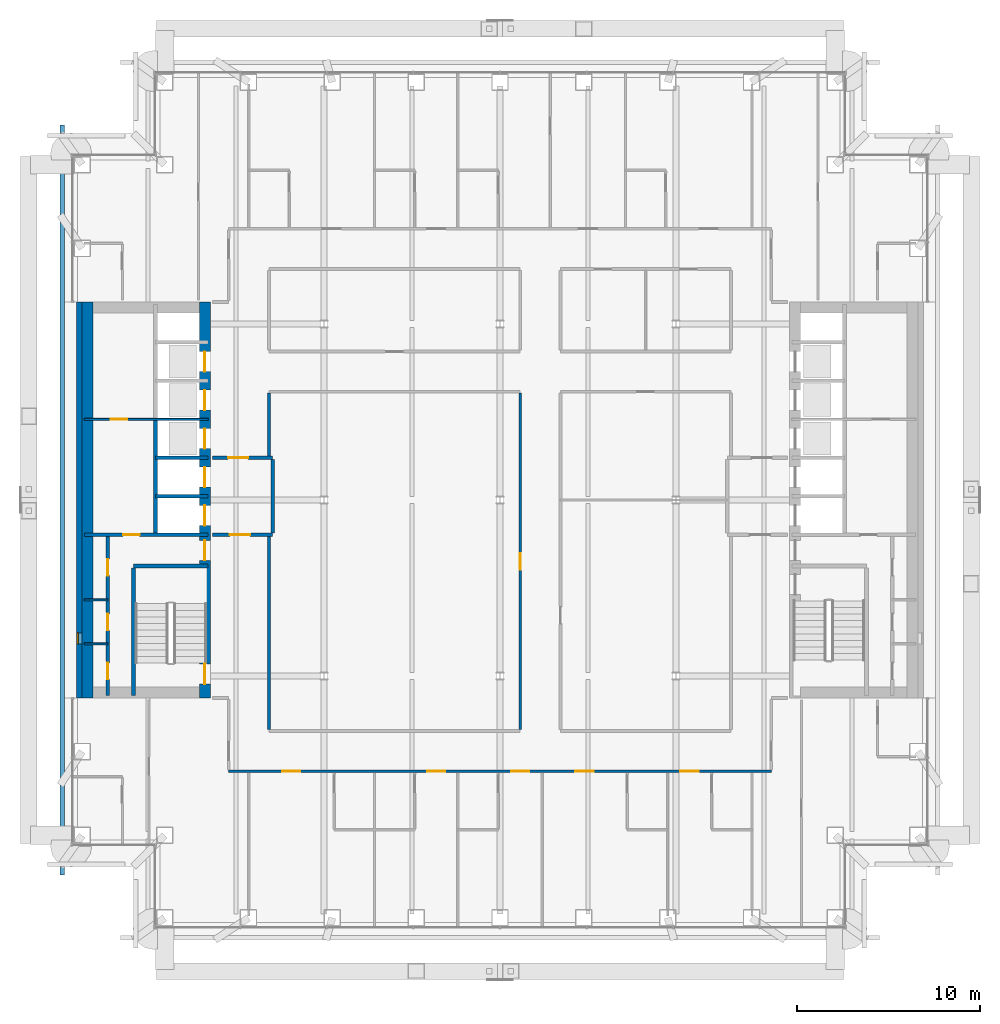
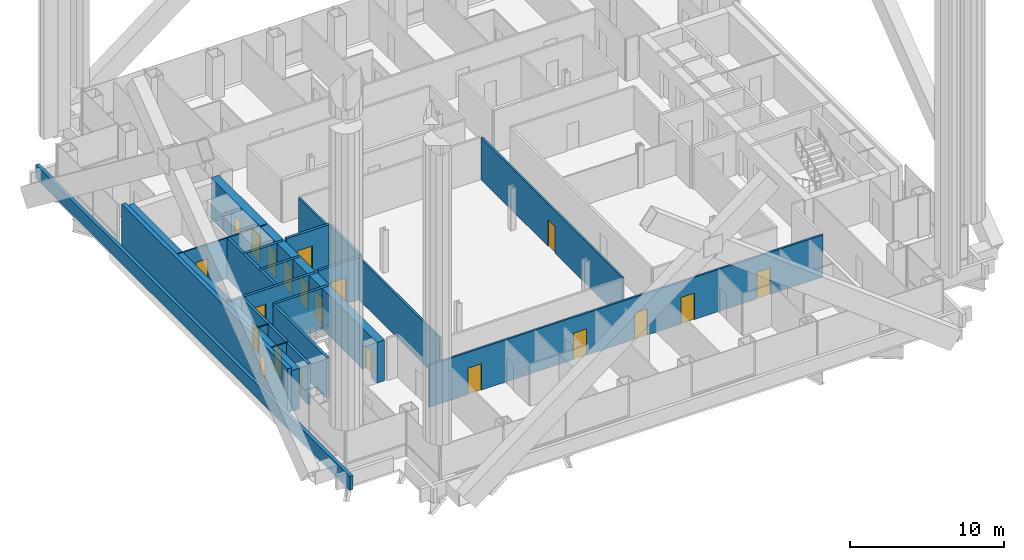
# One storey, part 13 of 22: 21 walls, 20 doors, 1 window, 21 openings.
"""IFC4 building model written with IfcOpenShell, lengths in metres."""

from ifc_helpers import new_model, si_unit, direction, frame, frame_2d, origin, place, context, subcontext, project, spatial, rectangle, extrude, material, layer, layer_set, type_object, element, fill, save


model = new_model("IFC4")

# Units and contexts
model_context = context("Model", 3, precision=1e-05, world=origin(), true_north=direction((0.0, 1.0)))
body_context = subcontext(model_context, "Body", "Model", "MODEL_VIEW")
ifc_project = project(units=[si_unit("LENGTHUNIT", "METRE"), si_unit("AREAUNIT", "SQUARE_METRE"), si_unit("VOLUMEUNIT", "CUBIC_METRE"), si_unit("PLANEANGLEUNIT", "RADIAN"), si_unit("MASSUNIT", "GRAM", prefix="KILO")], contexts=[model_context])

# Site, building, storey
site_placement = place(None, origin())
site = spatial("IfcSite", under=ifc_project, at=site_placement, CompositionType="ELEMENT")
building_placement = place(site_placement, origin())
building = spatial("IfcBuilding", under=site, at=building_placement, Name="Cobrizo Arcos Hotel Tower", CompositionType="ELEMENT")
storey_placement = place(building_placement, frame((0.0, 0.0, 89.0)))
storey = spatial("IfcBuildingStorey", under=building, at=storey_placement, Name="L21", CompositionType="ELEMENT", Elevation=89.0)

# Wall, openings, doors
ifc_material_1 = material(Name="Gypsum board partition")
ifc_layer_1 = layer(ifc_material_1, 0.14990234375)
ifc_layer_set_1 = layer_set([ifc_layer_1], Name="Corridor wall EI 60 150")
wall_type_1 = type_object("IfcWallType", Name="Corridor wall EI 60 150", PredefinedType="PARTITIONING", material=ifc_layer_set_1)
wall_1_placement = place(storey_placement, frame((-14.800048828125, -14.800048828125, 0.0), z_axis=(0.0, 0.0, 1.0), x_axis=(1.0, 0.0, 0.0)))
wall_1 = element("IfcWall", 1, at=wall_1_placement, inside=storey, type_object=wall_type_1, Name="Partition 006", PredefinedType="PARTITIONING", context=body_context, shape_type="SweptSolid", body=[
    extrude(rectangle(XDim=29.60009765625, YDim=0.14990234375, at=frame_2d((14.800048828125, 0.0))), origin(), (0.0, 0.0, 1.0), 3.35009765625),
])
opening_1_placement = place(wall_1_placement, frame((2.906982421875, 0.0, 0.0)))
opening_1 = element("IfcOpeningElement", 2, at=opening_1_placement, cuts=wall_1, Name="Opening GD-05", PredefinedType="OPENING", context=body_context, shape_type="SweptSolid", body=[
    extrude(rectangle(XDim=1.0, YDim=2.10009765625, at=frame_2d((0.5, 1.050048828125))), frame((0.0, 0.0869140625, 0.0), z_axis=(0.0, -1.0, 0.0), x_axis=(1.0, 0.0, 0.0)), (0.0, 0.0, 1.0), 0.173828125),
])
opening_2_placement = place(wall_1_placement, frame((10.825927734375, 0.0, 0.0)))
opening_2 = element("IfcOpeningElement", 3, at=opening_2_placement, cuts=wall_1, Name="Opening GD-06", PredefinedType="OPENING", context=body_context, shape_type="SweptSolid", body=[
    extrude(rectangle(XDim=1.0, YDim=2.10009765625, at=frame_2d((0.5, 1.050048828125))), frame((0.0, 0.0869140625, 0.0), z_axis=(0.0, -1.0, 0.0), x_axis=(1.0, 0.0, 0.0)), (0.0, 0.0, 1.0), 0.173828125),
])
opening_3_placement = place(wall_1_placement, frame((15.40087890625, 0.0, 0.0)))
opening_3 = element("IfcOpeningElement", 4, at=opening_3_placement, cuts=wall_1, Name="Opening GD-07", PredefinedType="OPENING", context=body_context, shape_type="SweptSolid", body=[
    extrude(rectangle(XDim=1.0, YDim=2.10009765625, at=frame_2d((0.5, 1.050048828125))), frame((0.0, 0.0869140625, 0.0), z_axis=(0.0, -1.0, 0.0), x_axis=(1.0, 0.0, 0.0)), (0.0, 0.0, 1.0), 0.173828125),
])
opening_4_placement = place(wall_1_placement, frame((18.9189453125, 0.0, 0.0)))
opening_4 = element("IfcOpeningElement", 5, at=opening_4_placement, cuts=wall_1, Name="Opening GD-08", PredefinedType="OPENING", context=body_context, shape_type="SweptSolid", body=[
    extrude(rectangle(XDim=1.0, YDim=2.10009765625, at=frame_2d((0.5, 1.050048828125))), frame((0.0, 0.0869140625, 0.0), z_axis=(0.0, -1.0, 0.0), x_axis=(1.0, 0.0, 0.0)), (0.0, 0.0, 1.0), 0.173828125),
])
opening_5_placement = place(wall_1_placement, frame((24.637939453125, 0.0, 0.0)))
opening_5 = element("IfcOpeningElement", 6, at=opening_5_placement, cuts=wall_1, Name="Opening GD-09", PredefinedType="OPENING", context=body_context, shape_type="SweptSolid", body=[
    extrude(rectangle(XDim=1.0, YDim=2.10009765625, at=frame_2d((0.5, 1.050048828125))), frame((0.0, 0.0869140625, 0.0), z_axis=(0.0, -1.0, 0.0), x_axis=(1.0, 0.0, 0.0)), (0.0, 0.0, 1.0), 0.173828125),
])
ifc_material_2 = material(Name="Timber door leaf", Category="wood")
door_type_1 = type_object("IfcDoorType", Name="Guest room door FD30S 1000x2100", OperationType="SINGLE_SWING_LEFT", PredefinedType="DOOR", material=ifc_material_2)
door_1_placement = place(opening_1_placement, origin())
door_1 = element("IfcDoor", 7, at=door_1_placement, inside=storey, type_object=door_type_1, Name="Door GD-05", OperationType="SINGLE_SWING_LEFT", OverallHeight=2.10009765625, OverallWidth=1.0, PredefinedType="DOOR", context=body_context, shape_type="SweptSolid", body=[
    extrude(rectangle(XDim=1.0, YDim=2.10009765625, at=frame_2d((0.5, 1.050048828125))), frame((0.0, 0.02490234375, 0.0), z_axis=(0.0, -1.0, 0.0), x_axis=(1.0, 0.0, 0.0)), (0.0, 0.0, 1.0), 0.050048828125),
])
fill(opening_1, door_1)
door_2_placement = place(opening_2_placement, origin())
door_2 = element("IfcDoor", 8, at=door_2_placement, inside=storey, type_object=door_type_1, Name="Door GD-06", OperationType="SINGLE_SWING_LEFT", OverallHeight=2.10009765625, OverallWidth=1.0, PredefinedType="DOOR", context=body_context, shape_type="SweptSolid", body=[
    extrude(rectangle(XDim=1.0, YDim=2.10009765625, at=frame_2d((0.5, 1.050048828125))), frame((0.0, 0.02490234375, 0.0), z_axis=(0.0, -1.0, 0.0), x_axis=(1.0, 0.0, 0.0)), (0.0, 0.0, 1.0), 0.050048828125),
])
fill(opening_2, door_2)
door_3_placement = place(opening_3_placement, origin())
door_3 = element("IfcDoor", 9, at=door_3_placement, inside=storey, type_object=door_type_1, Name="Door GD-07", OperationType="SINGLE_SWING_LEFT", OverallHeight=2.10009765625, OverallWidth=1.0, PredefinedType="DOOR", context=body_context, shape_type="SweptSolid", body=[
    extrude(rectangle(XDim=1.0, YDim=2.10009765625, at=frame_2d((0.5, 1.050048828125))), frame((0.0, 0.02490234375, 0.0), z_axis=(0.0, -1.0, 0.0), x_axis=(1.0, 0.0, 0.0)), (0.0, 0.0, 1.0), 0.050048828125),
])
fill(opening_3, door_3)
door_4_placement = place(opening_4_placement, origin())
door_4 = element("IfcDoor", 10, at=door_4_placement, inside=storey, type_object=door_type_1, Name="Door GD-08", OperationType="SINGLE_SWING_LEFT", OverallHeight=2.10009765625, OverallWidth=1.0, PredefinedType="DOOR", context=body_context, shape_type="SweptSolid", body=[
    extrude(rectangle(XDim=1.0, YDim=2.10009765625, at=frame_2d((0.5, 1.050048828125))), frame((0.0, 0.02490234375, 0.0), z_axis=(0.0, -1.0, 0.0), x_axis=(1.0, 0.0, 0.0)), (0.0, 0.0, 1.0), 0.050048828125),
])
fill(opening_4, door_4)
door_5_placement = place(opening_5_placement, origin())
door_5 = element("IfcDoor", 11, at=door_5_placement, inside=storey, type_object=door_type_1, Name="Door GD-09", OperationType="SINGLE_SWING_LEFT", OverallHeight=2.10009765625, OverallWidth=1.0, PredefinedType="DOOR", context=body_context, shape_type="SweptSolid", body=[
    extrude(rectangle(XDim=1.0, YDim=2.10009765625, at=frame_2d((0.5, 1.050048828125))), frame((0.0, 0.02490234375, 0.0), z_axis=(0.0, -1.0, 0.0), x_axis=(1.0, 0.0, 0.0)), (0.0, 0.0, 1.0), 0.050048828125),
])
fill(opening_5, door_5)

# Walls
wall_2_placement = place(storey_placement, frame((-12.60009765625, -12.52490234375, 0.0), z_axis=(0.0, 0.0, 1.0), x_axis=(0.0, 1.0, 0.0)))
element("IfcWall", 12, at=wall_2_placement, inside=storey, type_object=wall_type_1, Name="Partition 064", PredefinedType="PARTITIONING", context=body_context, shape_type="SweptSolid", body=[
    extrude(rectangle(XDim=10.52490234375, YDim=0.14990234375, at=frame_2d((5.262451171875, 0.0))), origin(), (0.0, 0.0, 1.0), 3.35009765625),
])
wall_3_placement = place(storey_placement, frame((-12.60009765625, 2.39990234375, 0.0), z_axis=(0.0, 0.0, 1.0), x_axis=(0.0, 1.0, 0.0)))
element("IfcWall", 13, at=wall_3_placement, inside=storey, type_object=wall_type_1, Name="Partition 065", PredefinedType="PARTITIONING", context=body_context, shape_type="SweptSolid", body=[
    extrude(rectangle(XDim=3.425048828125, YDim=0.14990234375, at=frame_2d((1.71240234375, 0.0))), origin(), (0.0, 0.0, 1.0), 3.35009765625),
])

# Wall, opening, door
wall_4_placement = place(storey_placement, frame((1.10009765625, -12.52490234375, 0.0), z_axis=(0.0, 0.0, 1.0), x_axis=(0.0, 1.0, 0.0)))
wall_4 = element("IfcWall", 14, at=wall_4_placement, inside=storey, type_object=wall_type_1, Name="Partition 079", PredefinedType="PARTITIONING", context=body_context, shape_type="SweptSolid", body=[
    extrude(rectangle(XDim=18.349853515625, YDim=0.14990234375, at=frame_2d((9.1748046875, 0.0))), origin(), (0.0, 0.0, 1.0), 3.35009765625),
])
opening_6_placement = place(wall_4_placement, frame((8.72509765625, 0.0, 0.0)))
opening_6 = element("IfcOpeningElement", 15, at=opening_6_placement, cuts=wall_4, Name="Opening RD-19", PredefinedType="OPENING", context=body_context, shape_type="SweptSolid", body=[
    extrude(rectangle(XDim=0.89990234375, YDim=2.10009765625, at=frame_2d((0.449951171875, 1.050048828125))), frame((0.0, 0.0869140625, 0.0), z_axis=(0.0, -1.0, 0.0), x_axis=(1.0, 0.0, 0.0)), (0.0, 0.0, 1.0), 0.173828125),
])
door_type_2 = type_object("IfcDoorType", Name="Room door FD30 900x2100", OperationType="SINGLE_SWING_LEFT", PredefinedType="DOOR", material=ifc_material_2)
door_6_placement = place(opening_6_placement, origin())
door_6 = element("IfcDoor", 16, at=door_6_placement, inside=storey, type_object=door_type_2, Name="Door RD-19", OperationType="SINGLE_SWING_RIGHT", OverallHeight=2.10009765625, OverallWidth=0.89990234375, PredefinedType="DOOR", context=body_context, shape_type="SweptSolid", body=[
    extrude(rectangle(XDim=0.89990234375, YDim=2.10009765625, at=frame_2d((0.449951171875, 1.050048828125))), frame((0.0, 0.02490234375, 0.0), z_axis=(0.0, -1.0, 0.0), x_axis=(1.0, 0.0, 0.0)), (0.0, 0.0, 1.0), 0.050048828125),
])
fill(opening_6, door_6)

# Wall, opening, window
ifc_material_3 = material(Name="Aluminium composite panel pale metal", Category="aluminium")
ifc_layer_2 = layer(ifc_material_3, 0.300048828125)
ifc_layer_set_2 = layer_set([ifc_layer_2], Name="EW-1 insulated panel wall 300")
wall_type_2 = type_object("IfcWallType", Name="EW-1 insulated panel wall 300", PredefinedType="SOLIDWALL", material=ifc_layer_set_2)
wall_5_placement = place(storey_placement, frame((-22.949951171875, 10.800048828125, 0.0), z_axis=(0.0, 0.0, 1.0), x_axis=(0.0, -1.0, 0.0)))
wall_5 = element("IfcWall", 17, at=wall_5_placement, inside=storey, type_object=wall_type_2, Name="Core face wall L21 W", PredefinedType="SOLIDWALL", context=body_context, shape_type="SweptSolid", body=[
    extrude(rectangle(XDim=21.60009765625, YDim=0.300048828125, at=frame_2d((10.800048828125, 0.0))), origin(), (0.0, 0.0, 1.0), 3.5),
])
opening_7_placement = place(wall_5_placement, frame((18.050048828125, 0.0, 1.0)))
opening_7 = element("IfcOpeningElement", 18, at=opening_7_placement, cuts=wall_5, Name="Opening W-44", PredefinedType="OPENING", context=body_context, shape_type="SweptSolid", body=[
    extrude(rectangle(XDim=0.60009765625, YDim=1.5, at=frame_2d((0.300048828125, 0.75))), frame((0.0, 0.162109375, 0.0), z_axis=(0.0, -1.0, 0.0), x_axis=(1.0, 0.0, 0.0)), (0.0, 0.0, 1.0), 0.323974609375),
])
ifc_material_4 = material(Name="Aluminium 6063-T6 and clear laminated glass", Category="aluminium")
window_type = type_object("IfcWindowType", Name="W-C1 core stair slot window 600x1500", PartitioningType="SINGLE_PANEL", PredefinedType="WINDOW", material=ifc_material_4)
window_placement = place(opening_7_placement, origin())
window = element("IfcWindow", 19, at=window_placement, inside=storey, type_object=window_type, Name="Core face wall L21 W window W-44", OverallHeight=1.5, OverallWidth=0.60009765625, PartitioningType="SINGLE_PANEL", PredefinedType="WINDOW", context=body_context, shape_type="SweptSolid", body=[
    extrude(rectangle(XDim=0.60009765625, YDim=1.5, at=frame_2d((0.300048828125, 0.75))), frame((0.0, -0.06005859375, 0.0), z_axis=(0.0, -1.0, 0.0), x_axis=(1.0, 0.0, 0.0)), (0.0, 0.0, 1.0), 0.06005859375),
])
fill(opening_7, window)

# Walls
ifc_layer_3 = layer(ifc_material_3, 0.25)
ifc_layer_set_3 = layer_set([ifc_layer_3], Name="PW-1 parapet wall")
wall_type_3 = type_object("IfcWallType", Name="PW-1 parapet wall", PredefinedType="PARAPET", material=ifc_layer_set_3)
wall_6_placement = place(storey_placement, frame((-23.875, 20.449951171875, 0.0), z_axis=(0.0, 0.0, 1.0), x_axis=(0.0, -1.0, 0.0)))
element("IfcWall", 20, at=wall_6_placement, inside=storey, type_object=wall_type_3, Name="Parapet L20 W", PredefinedType="PARAPET", context=body_context, shape_type="SweptSolid", body=[
    extrude(rectangle(XDim=40.89990234375, YDim=0.25, at=frame_2d((20.449951171875, 0.0))), origin(), (0.0, 0.0, 1.0), 1.10009765625),
])
ifc_layer_4 = layer(ifc_material_1, 0.10009765625)
ifc_layer_set_4 = layer_set([ifc_layer_4], Name="Partition EI 30 100")
wall_type_4 = type_object("IfcWallType", Name="Partition EI 30 100", PredefinedType="PARTITIONING", material=ifc_layer_set_4)
for number, where, z_axis, x_axis, name in (
    (21, (-22.679931640625, -7.85009765625, 0.0), (0.0, 0.0, 1.0), (1.0, 0.0, 0.0), "Partition 012"),
    (22, (-22.679931640625, -5.449951171875, 0.0), (0.0, 0.0, 1.0), (1.0, 0.0, 0.0), "Partition 014"),
):
    element("IfcWall", number, at=place(storey_placement, frame(where, z_axis=z_axis, x_axis=x_axis)), inside=storey, type_object=wall_type_4, Name=name, PredefinedType="PARTITIONING", context=body_context, shape_type="SweptSolid", body=[
        extrude(rectangle(XDim=1.280029296875, YDim=0.10009765625, at=frame_2d((0.64013671875, 0.0))), origin(), (0.0, 0.0, 1.0), 3.25),
    ])

# Wall, opening, door
wall_7_placement = place(storey_placement, frame((-22.679931640625, 4.39990234375, 0.0), z_axis=(0.0, 0.0, 1.0), x_axis=(1.0, 0.0, 0.0)))
wall_7 = element("IfcWall", 23, at=wall_7_placement, inside=storey, type_object=wall_type_4, Name="Partition 031", PredefinedType="PARTITIONING", context=body_context, shape_type="SweptSolid", body=[
    extrude(rectangle(XDim=6.760009765625, YDim=0.10009765625, at=frame_2d((3.3798828125, 0.0))), origin(), (0.0, 0.0, 1.0), 3.25),
])
opening_8_placement = place(wall_7_placement, frame((1.429931640625, 0.0, 0.0)))
opening_8 = element("IfcOpeningElement", 24, at=opening_8_placement, cuts=wall_7, Name="Opening RD-05", PredefinedType="OPENING", context=body_context, shape_type="SweptSolid", body=[
    extrude(rectangle(XDim=0.89990234375, YDim=2.10009765625, at=frame_2d((0.449951171875, 1.050048828125))), frame((0.0, 0.06201171875, 0.0), z_axis=(0.0, -1.0, 0.0), x_axis=(1.0, 0.0, 0.0)), (0.0, 0.0, 1.0), 0.1240234375),
])
door_7_placement = place(opening_8_placement, origin())
door_7 = element("IfcDoor", 25, at=door_7_placement, inside=storey, type_object=door_type_2, Name="Door RD-05", OperationType="SINGLE_SWING_RIGHT", OverallHeight=2.10009765625, OverallWidth=0.89990234375, PredefinedType="DOOR", context=body_context, shape_type="SweptSolid", body=[
    extrude(rectangle(XDim=0.89990234375, YDim=2.10009765625, at=frame_2d((0.449951171875, 1.050048828125))), frame((0.0, 0.02490234375, 0.0), z_axis=(0.0, -1.0, 0.0), x_axis=(1.0, 0.0, 0.0)), (0.0, 0.0, 1.0), 0.050048828125),
])
fill(opening_8, door_7)

# Wall, openings, doors
ifc_material_5 = material(Name="Concrete f'c 50 MPa", Category="concrete")
ifc_layer_5 = layer(ifc_material_5, 0.60009765625)
ifc_layer_set_5 = layer_set([ifc_layer_5], Name="RC core wall 600 f'c 50")
wall_type_5 = type_object("IfcWallType", Name="RC core wall 600 f'c 50", PredefinedType="SHEAR", material=ifc_layer_set_5)
wall_8_placement = place(storey_placement, frame((-16.10009765625, -10.800048828125, 0.0), z_axis=(0.0, 0.0, 1.0), x_axis=(0.0, 1.0, 0.0)))
wall_8 = element("IfcWall", 26, at=wall_8_placement, inside=storey, type_object=wall_type_5, Name="Core wall CW2, west core, inner face, L21", PredefinedType="SHEAR", context=body_context, shape_type="SweptSolid", body=[
    extrude(rectangle(XDim=21.60009765625, YDim=0.60009765625, at=frame_2d((10.800048828125, 0.0))), origin(), (0.0, 0.0, 1.0), 3.25),
])
opening_9_placement = place(wall_8_placement, frame((9.39990234375, 0.0, 0.0)))
opening_9 = element("IfcOpeningElement", 27, at=opening_9_placement, cuts=wall_8, Name="Opening LD-01", PredefinedType="OPENING", context=body_context, shape_type="SweptSolid", body=[
    extrude(rectangle(XDim=1.10009765625, YDim=2.10009765625, at=frame_2d((0.550048828125, 1.050048828125))), frame((0.0, 0.31201171875, 0.0), z_axis=(0.0, -1.0, 0.0), x_axis=(1.0, 0.0, 0.0)), (0.0, 0.0, 1.0), 0.6240234375),
])
opening_10_placement = place(wall_8_placement, frame((11.5, 0.0, 0.0)))
opening_10 = element("IfcOpeningElement", 28, at=opening_10_placement, cuts=wall_8, Name="Opening LD-02", PredefinedType="OPENING", context=body_context, shape_type="SweptSolid", body=[
    extrude(rectangle(XDim=1.10009765625, YDim=2.10009765625, at=frame_2d((0.550048828125, 1.050048828125))), frame((0.0, 0.31201171875, 0.0), z_axis=(0.0, -1.0, 0.0), x_axis=(1.0, 0.0, 0.0)), (0.0, 0.0, 1.0), 0.6240234375),
])
opening_11_placement = place(wall_8_placement, frame((13.60009765625, 0.0, 0.0)))
opening_11 = element("IfcOpeningElement", 29, at=opening_11_placement, cuts=wall_8, Name="Opening LD-03", PredefinedType="OPENING", context=body_context, shape_type="SweptSolid", body=[
    extrude(rectangle(XDim=1.10009765625, YDim=2.10009765625, at=frame_2d((0.550048828125, 1.050048828125))), frame((0.0, 0.31201171875, 0.0), z_axis=(0.0, -1.0, 0.0), x_axis=(1.0, 0.0, 0.0)), (0.0, 0.0, 1.0), 0.6240234375),
])
opening_12_placement = place(wall_8_placement, frame((15.699951171875, 0.0, 0.0)))
opening_12 = element("IfcOpeningElement", 30, at=opening_12_placement, cuts=wall_8, Name="Opening LD-04", PredefinedType="OPENING", context=body_context, shape_type="SweptSolid", body=[
    extrude(rectangle(XDim=1.10009765625, YDim=2.10009765625, at=frame_2d((0.550048828125, 1.050048828125))), frame((0.0, 0.31201171875, 0.0), z_axis=(0.0, -1.0, 0.0), x_axis=(1.0, 0.0, 0.0)), (0.0, 0.0, 1.0), 0.6240234375),
])
opening_13_placement = place(wall_8_placement, frame((17.800048828125, 0.0, 0.0)))
opening_13 = element("IfcOpeningElement", 31, at=opening_13_placement, cuts=wall_8, Name="Opening LD-05", PredefinedType="OPENING", context=body_context, shape_type="SweptSolid", body=[
    extrude(rectangle(XDim=1.10009765625, YDim=2.10009765625, at=frame_2d((0.550048828125, 1.050048828125))), frame((0.0, 0.31201171875, 0.0), z_axis=(0.0, -1.0, 0.0), x_axis=(1.0, 0.0, 0.0)), (0.0, 0.0, 1.0), 0.6240234375),
])
opening_14_placement = place(wall_8_placement, frame((0.758056640625, 0.0, 0.0)))
opening_14 = element("IfcOpeningElement", 32, at=opening_14_placement, cuts=wall_8, Name="Opening SD-01", PredefinedType="OPENING", context=body_context, shape_type="SweptSolid", body=[
    extrude(rectangle(XDim=1.10009765625, YDim=2.10009765625, at=frame_2d((0.550048828125, 1.050048828125))), frame((0.0, 0.31201171875, 0.0), z_axis=(0.0, -1.0, 0.0), x_axis=(1.0, 0.0, 0.0)), (0.0, 0.0, 1.0), 0.6240234375),
])
opening_15_placement = place(wall_8_placement, frame((7.5, 0.0, 0.0)))
opening_15 = element("IfcOpeningElement", 33, at=opening_15_placement, cuts=wall_8, Name="Opening FD-01", PredefinedType="OPENING", context=body_context, shape_type="SweptSolid", body=[
    extrude(rectangle(XDim=1.10009765625, YDim=2.10009765625, at=frame_2d((0.550048828125, 1.050048828125))), frame((0.0, 0.31201171875, 0.0), z_axis=(0.0, -1.0, 0.0), x_axis=(1.0, 0.0, 0.0)), (0.0, 0.0, 1.0), 0.6240234375),
])
ifc_material_6 = material(Name="Steel door leaf", Category="steel")
door_type_3 = type_object("IfcDoorType", Name="Fire door FD60 1100x2100", OperationType="SINGLE_SWING_LEFT", PredefinedType="DOOR", material=ifc_material_6)
door_8_placement = place(opening_15_placement, origin())
door_8 = element("IfcDoor", 34, at=door_8_placement, inside=storey, type_object=door_type_3, Name="Door FD-01", OperationType="SINGLE_SWING_LEFT", OverallHeight=2.10009765625, OverallWidth=1.10009765625, PredefinedType="DOOR", context=body_context, shape_type="SweptSolid", body=[
    extrude(rectangle(XDim=1.10009765625, YDim=2.10009765625, at=frame_2d((0.550048828125, 1.050048828125))), frame((0.0, 0.02490234375, 0.0), z_axis=(0.0, -1.0, 0.0), x_axis=(1.0, 0.0, 0.0)), (0.0, 0.0, 1.0), 0.050048828125),
])
fill(opening_15, door_8)
door_type_4 = type_object("IfcDoorType", Name="Lift landing door 1100x2100", OperationType="SLIDING_TO_LEFT", PredefinedType="DOOR", material=ifc_material_6)
door_9_placement = place(opening_9_placement, origin())
door_9 = element("IfcDoor", 35, at=door_9_placement, inside=storey, type_object=door_type_4, Name="Lift landing door LD-01", OperationType="SLIDING_TO_LEFT", OverallHeight=2.10009765625, OverallWidth=1.10009765625, PredefinedType="DOOR", context=body_context, shape_type="SweptSolid", body=[
    extrude(rectangle(XDim=1.10009765625, YDim=2.10009765625, at=frame_2d((0.550048828125, 1.050048828125))), frame((0.0, 0.02490234375, 0.0), z_axis=(0.0, -1.0, 0.0), x_axis=(1.0, 0.0, 0.0)), (0.0, 0.0, 1.0), 0.050048828125),
])
fill(opening_9, door_9)
door_10_placement = place(opening_10_placement, origin())
door_10 = element("IfcDoor", 36, at=door_10_placement, inside=storey, type_object=door_type_4, Name="Lift landing door LD-02", OperationType="SLIDING_TO_LEFT", OverallHeight=2.10009765625, OverallWidth=1.10009765625, PredefinedType="DOOR", context=body_context, shape_type="SweptSolid", body=[
    extrude(rectangle(XDim=1.10009765625, YDim=2.10009765625, at=frame_2d((0.550048828125, 1.050048828125))), frame((0.0, 0.02490234375, 0.0), z_axis=(0.0, -1.0, 0.0), x_axis=(1.0, 0.0, 0.0)), (0.0, 0.0, 1.0), 0.050048828125),
])
fill(opening_10, door_10)
door_11_placement = place(opening_11_placement, origin())
door_11 = element("IfcDoor", 37, at=door_11_placement, inside=storey, type_object=door_type_4, Name="Lift landing door LD-03", OperationType="SLIDING_TO_LEFT", OverallHeight=2.10009765625, OverallWidth=1.10009765625, PredefinedType="DOOR", context=body_context, shape_type="SweptSolid", body=[
    extrude(rectangle(XDim=1.10009765625, YDim=2.10009765625, at=frame_2d((0.550048828125, 1.050048828125))), frame((0.0, 0.02490234375, 0.0), z_axis=(0.0, -1.0, 0.0), x_axis=(1.0, 0.0, 0.0)), (0.0, 0.0, 1.0), 0.050048828125),
])
fill(opening_11, door_11)
door_12_placement = place(opening_12_placement, origin())
door_12 = element("IfcDoor", 38, at=door_12_placement, inside=storey, type_object=door_type_4, Name="Lift landing door LD-04", OperationType="SLIDING_TO_LEFT", OverallHeight=2.10009765625, OverallWidth=1.10009765625, PredefinedType="DOOR", context=body_context, shape_type="SweptSolid", body=[
    extrude(rectangle(XDim=1.10009765625, YDim=2.10009765625, at=frame_2d((0.550048828125, 1.050048828125))), frame((0.0, 0.02490234375, 0.0), z_axis=(0.0, -1.0, 0.0), x_axis=(1.0, 0.0, 0.0)), (0.0, 0.0, 1.0), 0.050048828125),
])
fill(opening_12, door_12)
door_13_placement = place(opening_13_placement, origin())
door_13 = element("IfcDoor", 39, at=door_13_placement, inside=storey, type_object=door_type_4, Name="Lift landing door LD-05", OperationType="SLIDING_TO_LEFT", OverallHeight=2.10009765625, OverallWidth=1.10009765625, PredefinedType="DOOR", context=body_context, shape_type="SweptSolid", body=[
    extrude(rectangle(XDim=1.10009765625, YDim=2.10009765625, at=frame_2d((0.550048828125, 1.050048828125))), frame((0.0, 0.02490234375, 0.0), z_axis=(0.0, -1.0, 0.0), x_axis=(1.0, 0.0, 0.0)), (0.0, 0.0, 1.0), 0.050048828125),
])
fill(opening_13, door_13)
door_type_5 = type_object("IfcDoorType", Name="Stair door FD60S 1100x2100", OperationType="SINGLE_SWING_LEFT", PredefinedType="DOOR", material=ifc_material_6)
door_14_placement = place(opening_14_placement, origin())
door_14 = element("IfcDoor", 40, at=door_14_placement, inside=storey, type_object=door_type_5, Name="Door SD-01", OperationType="SINGLE_SWING_RIGHT", OverallHeight=2.10009765625, OverallWidth=1.10009765625, PredefinedType="DOOR", context=body_context, shape_type="SweptSolid", body=[
    extrude(rectangle(XDim=1.10009765625, YDim=2.10009765625, at=frame_2d((0.550048828125, 1.050048828125))), frame((0.0, 0.02490234375, 0.0), z_axis=(0.0, -1.0, 0.0), x_axis=(1.0, 0.0, 0.0)), (0.0, 0.0, 1.0), 0.050048828125),
])
fill(opening_14, door_14)

# Wall
wall_9_placement = place(storey_placement, frame((-22.5, -10.800048828125, 0.0), z_axis=(0.0, 0.0, 1.0), x_axis=(0.0, 1.0, 0.0)))
element("IfcWall", 41, at=wall_9_placement, inside=storey, type_object=wall_type_5, Name="Core wall CW2, west core, outer face, L21", PredefinedType="SHEAR", context=body_context, shape_type="SweptSolid", body=[
    extrude(rectangle(XDim=21.60009765625, YDim=0.60009765625, at=frame_2d((10.800048828125, 0.0))), origin(), (0.0, 0.0, 1.0), 3.25),
])

# Wall, opening, door
ifc_layer_6 = layer(ifc_material_1, 0.199951171875)
ifc_layer_set_6 = layer_set([ifc_layer_6], Name="Shaft wall EI 120 200")
wall_type_6 = type_object("IfcWallType", Name="Shaft wall EI 120 200", PredefinedType="PARTITIONING", material=ifc_layer_set_6)
wall_10_placement = place(storey_placement, frame((-22.679931640625, -1.89990234375, 0.0), z_axis=(0.0, 0.0, 1.0), x_axis=(1.0, 0.0, 0.0)))
wall_10 = element("IfcWall", 42, at=wall_10_placement, inside=storey, type_object=wall_type_6, Name="Partition 018", PredefinedType="PARTITIONING", context=body_context, shape_type="SweptSolid", body=[
    extrude(rectangle(XDim=6.760009765625, YDim=0.199951171875, at=frame_2d((3.3798828125, 0.0))), origin(), (0.0, 0.0, 1.0), 3.25),
])
opening_16_placement = place(wall_10_placement, frame((2.1201171875, 0.0, 0.0)))
opening_16 = element("IfcOpeningElement", 43, at=opening_16_placement, cuts=wall_10, Name="Opening RD-04", PredefinedType="OPENING", context=body_context, shape_type="SweptSolid", body=[
    extrude(rectangle(XDim=0.89990234375, YDim=2.10009765625, at=frame_2d((0.449951171875, 1.050048828125))), frame((0.0, 0.112060546875, 0.0), z_axis=(0.0, -1.0, 0.0), x_axis=(1.0, 0.0, 0.0)), (0.0, 0.0, 1.0), 0.223876953125),
])
door_15_placement = place(opening_16_placement, origin())
door_15 = element("IfcDoor", 44, at=door_15_placement, inside=storey, type_object=door_type_2, Name="Door RD-04", OperationType="SINGLE_SWING_LEFT", OverallHeight=2.10009765625, OverallWidth=0.89990234375, PredefinedType="DOOR", context=body_context, shape_type="SweptSolid", body=[
    extrude(rectangle(XDim=0.89990234375, YDim=2.10009765625, at=frame_2d((0.449951171875, 1.050048828125))), frame((0.0, 0.02490234375, 0.0), z_axis=(0.0, -1.0, 0.0), x_axis=(1.0, 0.0, 0.0)), (0.0, 0.0, 1.0), 0.050048828125),
])
fill(opening_16, door_15)

wall_11_placement = place(storey_placement, frame((-15.679931640625, -1.89990234375, 0.0), z_axis=(0.0, 0.0, 1.0), x_axis=(1.0, 0.0, 0.0)))
wall_11 = element("IfcWall", 45, at=wall_11_placement, inside=storey, type_object=wall_type_6, Name="Partition 019", PredefinedType="PARTITIONING", context=body_context, shape_type="SweptSolid", body=[
    extrude(rectangle(XDim=3.280029296875, YDim=0.199951171875, at=frame_2d((1.64013671875, 0.0))), origin(), (0.0, 0.0, 1.0), 3.35009765625),
])
opening_17_placement = place(wall_11_placement, frame((0.93994140625, 0.0, 0.0)))
opening_17 = element("IfcOpeningElement", 46, at=opening_17_placement, cuts=wall_11, Name="Opening FD-02", PredefinedType="OPENING", context=body_context, shape_type="SweptSolid", body=[
    extrude(rectangle(XDim=1.10009765625, YDim=2.10009765625, at=frame_2d((0.550048828125, 1.050048828125))), frame((0.0, 0.112060546875, 0.0), z_axis=(0.0, -1.0, 0.0), x_axis=(1.0, 0.0, 0.0)), (0.0, 0.0, 1.0), 0.223876953125),
])
door_16_placement = place(opening_17_placement, origin())
door_16 = element("IfcDoor", 47, at=door_16_placement, inside=storey, type_object=door_type_3, Name="Door FD-02", OperationType="SINGLE_SWING_LEFT", OverallHeight=2.10009765625, OverallWidth=1.10009765625, PredefinedType="DOOR", context=body_context, shape_type="SweptSolid", body=[
    extrude(rectangle(XDim=1.10009765625, YDim=2.10009765625, at=frame_2d((0.550048828125, 1.050048828125))), frame((0.0, 0.02490234375, 0.0), z_axis=(0.0, -1.0, 0.0), x_axis=(1.0, 0.0, 0.0)), (0.0, 0.0, 1.0), 0.050048828125),
])
fill(opening_17, door_16)

# Walls
for number, where, z_axis, x_axis, name in (
    (48, (-18.800048828125, 0.199951171875, 0.0), (0.0, 0.0, 1.0), (1.0, 0.0, 0.0), "Partition 025"),
    (49, (-18.800048828125, 2.300048828125, 0.0), (0.0, 0.0, 1.0), (1.0, 0.0, 0.0), "Partition 027"),
):
    element("IfcWall", number, at=place(storey_placement, frame(where, z_axis=z_axis, x_axis=x_axis)), inside=storey, type_object=wall_type_6, Name=name, PredefinedType="PARTITIONING", context=body_context, shape_type="SweptSolid", body=[
        extrude(rectangle(XDim=2.880126953125, YDim=0.199951171875, at=frame_2d((1.43994140625, 0.0))), origin(), (0.0, 0.0, 1.0), 3.25),
    ])

# Wall, opening, door
wall_12_placement = place(storey_placement, frame((-15.679931640625, 2.300048828125, 0.0), z_axis=(0.0, 0.0, 1.0), x_axis=(1.0, 0.0, 0.0)))
wall_12 = element("IfcWall", 50, at=wall_12_placement, inside=storey, type_object=wall_type_6, Name="Partition 028", PredefinedType="PARTITIONING", context=body_context, shape_type="SweptSolid", body=[
    extrude(rectangle(XDim=3.280029296875, YDim=0.199951171875, at=frame_2d((1.64013671875, 0.0))), origin(), (0.0, 0.0, 1.0), 3.35009765625),
])
opening_18_placement = place(wall_12_placement, frame((0.840087890625, 0.0, 0.0)))
opening_18 = element("IfcOpeningElement", 51, at=opening_18_placement, cuts=wall_12, Name="Opening FD-03", PredefinedType="OPENING", context=body_context, shape_type="SweptSolid", body=[
    extrude(rectangle(XDim=1.10009765625, YDim=2.10009765625, at=frame_2d((0.550048828125, 1.050048828125))), frame((0.0, 0.112060546875, 0.0), z_axis=(0.0, -1.0, 0.0), x_axis=(1.0, 0.0, 0.0)), (0.0, 0.0, 1.0), 0.223876953125),
])
door_17_placement = place(opening_18_placement, origin())
door_17 = element("IfcDoor", 52, at=door_17_placement, inside=storey, type_object=door_type_3, Name="Door FD-03", OperationType="SINGLE_SWING_LEFT", OverallHeight=2.10009765625, OverallWidth=1.10009765625, PredefinedType="DOOR", context=body_context, shape_type="SweptSolid", body=[
    extrude(rectangle(XDim=1.10009765625, YDim=2.10009765625, at=frame_2d((0.550048828125, 1.050048828125))), frame((0.0, 0.02490234375, 0.0), z_axis=(0.0, -1.0, 0.0), x_axis=(1.0, 0.0, 0.0)), (0.0, 0.0, 1.0), 0.050048828125),
])
fill(opening_18, door_17)

# Wall, openings, doors
wall_13_placement = place(storey_placement, frame((-21.39990234375, -10.679931640625, 0.0), z_axis=(0.0, 0.0, 1.0), x_axis=(0.0, 1.0, 0.0)))
wall_13 = element("IfcWall", 53, at=wall_13_placement, inside=storey, type_object=wall_type_6, Name="Partition 052", PredefinedType="PARTITIONING", context=body_context, shape_type="SweptSolid", body=[
    extrude(rectangle(XDim=8.679931640625, YDim=0.199951171875, at=frame_2d((4.33984375, 0.0))), origin(), (0.0, 0.0, 1.0), 3.25),
])
opening_19_placement = place(wall_13_placement, frame((0.89892578125, 0.0, 0.0)))
opening_19 = element("IfcOpeningElement", 54, at=opening_19_placement, cuts=wall_13, Name="Opening RD-01", PredefinedType="OPENING", context=body_context, shape_type="SweptSolid", body=[
    extrude(rectangle(XDim=0.89990234375, YDim=2.10009765625, at=frame_2d((0.449951171875, 1.050048828125))), frame((0.0, 0.112060546875, 0.0), z_axis=(0.0, -1.0, 0.0), x_axis=(1.0, 0.0, 0.0)), (0.0, 0.0, 1.0), 0.223876953125),
])
opening_20_placement = place(wall_13_placement, frame((3.569091796875, 0.0, 0.0)))
opening_20 = element("IfcOpeningElement", 55, at=opening_20_placement, cuts=wall_13, Name="Opening RD-02", PredefinedType="OPENING", context=body_context, shape_type="SweptSolid", body=[
    extrude(rectangle(XDim=0.89990234375, YDim=2.10009765625, at=frame_2d((0.449951171875, 1.050048828125))), frame((0.0, 0.112060546875, 0.0), z_axis=(0.0, -1.0, 0.0), x_axis=(1.0, 0.0, 0.0)), (0.0, 0.0, 1.0), 0.223876953125),
])
opening_21_placement = place(wall_13_placement, frame((6.550048828125, 0.0, 0.0)))
opening_21 = element("IfcOpeningElement", 56, at=opening_21_placement, cuts=wall_13, Name="Opening RD-03", PredefinedType="OPENING", context=body_context, shape_type="SweptSolid", body=[
    extrude(rectangle(XDim=0.89990234375, YDim=2.10009765625, at=frame_2d((0.449951171875, 1.050048828125))), frame((0.0, 0.112060546875, 0.0), z_axis=(0.0, -1.0, 0.0), x_axis=(1.0, 0.0, 0.0)), (0.0, 0.0, 1.0), 0.223876953125),
])
door_18_placement = place(opening_19_placement, origin())
door_18 = element("IfcDoor", 57, at=door_18_placement, inside=storey, type_object=door_type_2, Name="Door RD-01", OperationType="SINGLE_SWING_LEFT", OverallHeight=2.10009765625, OverallWidth=0.89990234375, PredefinedType="DOOR", context=body_context, shape_type="SweptSolid", body=[
    extrude(rectangle(XDim=0.89990234375, YDim=2.10009765625, at=frame_2d((0.449951171875, 1.050048828125))), frame((0.0, 0.02490234375, 0.0), z_axis=(0.0, -1.0, 0.0), x_axis=(1.0, 0.0, 0.0)), (0.0, 0.0, 1.0), 0.050048828125),
])
fill(opening_19, door_18)
door_19_placement = place(opening_20_placement, origin())
door_19 = element("IfcDoor", 58, at=door_19_placement, inside=storey, type_object=door_type_2, Name="Door RD-02", OperationType="SINGLE_SWING_RIGHT", OverallHeight=2.10009765625, OverallWidth=0.89990234375, PredefinedType="DOOR", context=body_context, shape_type="SweptSolid", body=[
    extrude(rectangle(XDim=0.89990234375, YDim=2.10009765625, at=frame_2d((0.449951171875, 1.050048828125))), frame((0.0, 0.02490234375, 0.0), z_axis=(0.0, -1.0, 0.0), x_axis=(1.0, 0.0, 0.0)), (0.0, 0.0, 1.0), 0.050048828125),
])
fill(opening_20, door_19)
door_20_placement = place(opening_21_placement, origin())
door_20 = element("IfcDoor", 59, at=door_20_placement, inside=storey, type_object=door_type_2, Name="Door RD-03", OperationType="SINGLE_SWING_RIGHT", OverallHeight=2.10009765625, OverallWidth=0.89990234375, PredefinedType="DOOR", context=body_context, shape_type="SweptSolid", body=[
    extrude(rectangle(XDim=0.89990234375, YDim=2.10009765625, at=frame_2d((0.449951171875, 1.050048828125))), frame((0.0, 0.02490234375, 0.0), z_axis=(0.0, -1.0, 0.0), x_axis=(1.0, 0.0, 0.0)), (0.0, 0.0, 1.0), 0.050048828125),
])
fill(opening_21, door_20)

# Walls
wall_14_placement = place(storey_placement, frame((-18.800048828125, -1.800048828125, 0.0), z_axis=(0.0, 0.0, 1.0), x_axis=(0.0, 1.0, 0.0)))
element("IfcWall", 60, at=wall_14_placement, inside=storey, type_object=wall_type_6, Name="Partition 057", PredefinedType="PARTITIONING", context=body_context, shape_type="SweptSolid", body=[
    extrude(rectangle(XDim=6.150146484375, YDim=0.199951171875, at=frame_2d((3.0751953125, 0.0))), origin(), (0.0, 0.0, 1.0), 3.25),
])
wall_15_placement = place(storey_placement, frame((-12.39990234375, -1.800048828125, 0.0), z_axis=(0.0, 0.0, 1.0), x_axis=(0.0, 1.0, 0.0)))
element("IfcWall", 61, at=wall_15_placement, inside=storey, type_object=wall_type_6, Name="Partition 067", PredefinedType="PARTITIONING", context=body_context, shape_type="SweptSolid", body=[
    extrude(rectangle(XDim=4.0, YDim=0.199951171875, at=frame_2d((2.0, 0.0))), origin(), (0.0, 0.0, 1.0), 3.35009765625),
])
ifc_material_7 = material(Name="Concrete f'c 40 MPa", Category="concrete")
ifc_layer_7 = layer(ifc_material_7, 0.199951171875)
ifc_layer_set_7 = layer_set([ifc_layer_7], Name="Stair shaft wall 200")
wall_type_7 = type_object("IfcWallType", Name="Stair shaft wall 200", PredefinedType="SHEAR", material=ifc_layer_set_7)
wall_16_placement = place(storey_placement, frame((-20.0, -3.60009765625, 0.0), z_axis=(0.0, 0.0, 1.0), x_axis=(1.0, 0.0, 0.0)))
element("IfcWall", 62, at=wall_16_placement, inside=storey, type_object=wall_type_7, Name="Stair shaft wall W", PredefinedType="SHEAR", context=body_context, shape_type="SweptSolid", body=[
    extrude(rectangle(XDim=4.080078125, YDim=0.199951171875, at=frame_2d((2.0400390625, 0.0))), origin(), (0.0, 0.0, 1.0), 3.25),
])
wall_17_placement = place(storey_placement, frame((-20.0, -10.679931640625, 0.0), z_axis=(0.0, 0.0, 1.0), x_axis=(0.0, 1.0, 0.0)))
element("IfcWall", 63, at=wall_17_placement, inside=storey, type_object=wall_type_7, Name="Stair shaft wall W", PredefinedType="SHEAR", context=body_context, shape_type="SweptSolid", body=[
    extrude(rectangle(XDim=6.97998046875, YDim=0.199951171875, at=frame_2d((3.489990234375, 0.0))), origin(), (0.0, 0.0, 1.0), 3.25),
])

save(model, "model.ifc")
